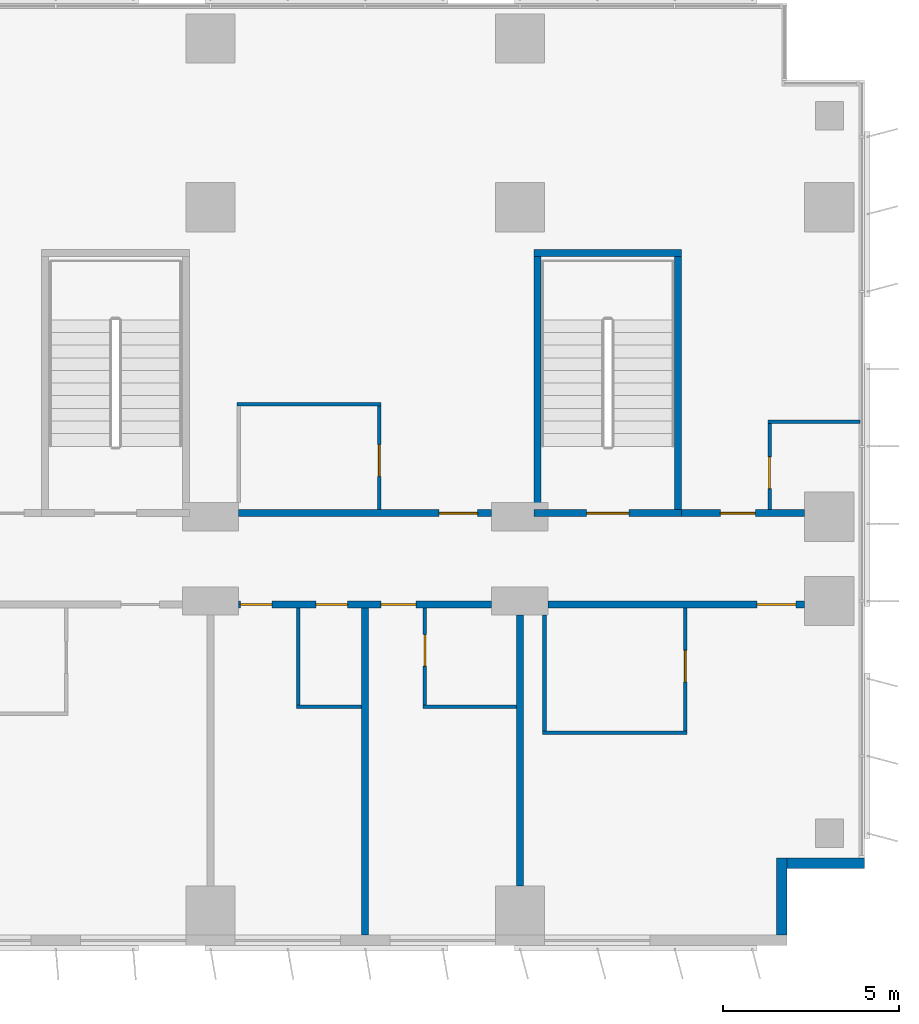
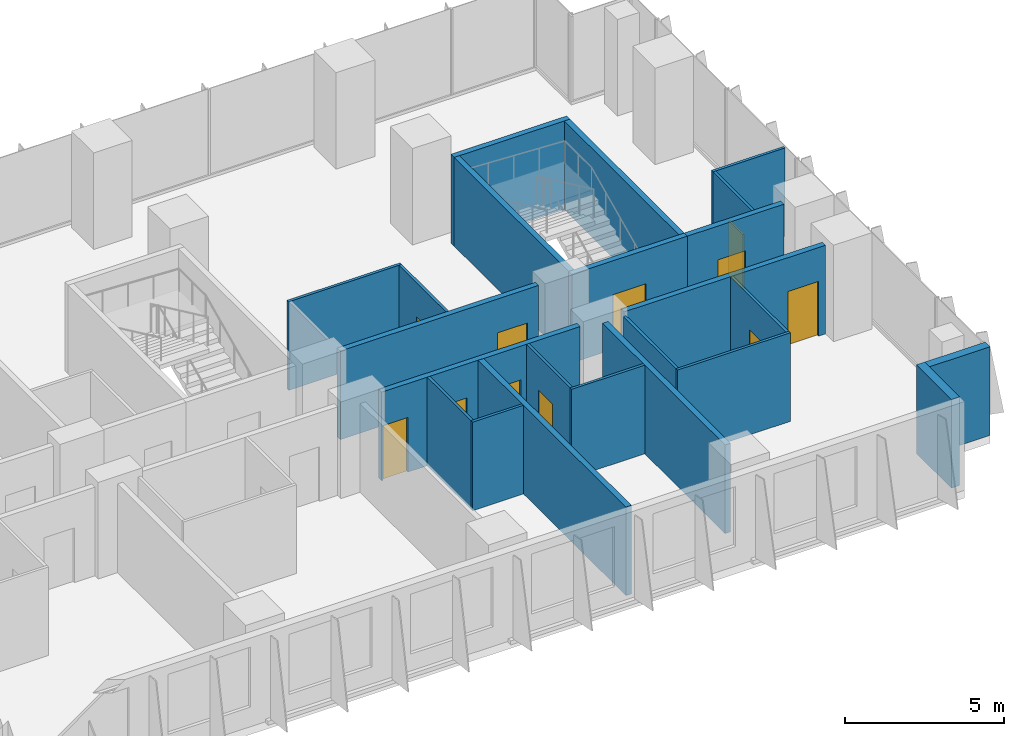
# One storey, part 18 of 24: 23 walls, 11 doors, 11 openings.
"""IFC4 building model written with IfcOpenShell, lengths in metres."""

from ifc_helpers import new_model, si_unit, direction, frame, frame_2d, origin, place, context, subcontext, project, spatial, rectangle, extrude, material, layer, layer_set, type_object, element, fill, save


model = new_model("IFC4")

# Units and contexts
model_context = context("Model", 3, precision=1e-05, world=origin(), true_north=direction((0.0, 1.0)))
body_context = subcontext(model_context, "Body", "Model", "MODEL_VIEW")
ifc_project = project(units=[si_unit("LENGTHUNIT", "METRE"), si_unit("AREAUNIT", "SQUARE_METRE"), si_unit("VOLUMEUNIT", "CUBIC_METRE"), si_unit("PLANEANGLEUNIT", "RADIAN"), si_unit("MASSUNIT", "GRAM", prefix="KILO")], contexts=[model_context])

# Site, building, storey
site_placement = place(None, origin())
site = spatial("IfcSite", under=ifc_project, at=site_placement, CompositionType="ELEMENT")
building_placement = place(site_placement, origin())
building = spatial("IfcBuilding", under=site, at=building_placement, Name="Kemantara Hotel Tower", CompositionType="ELEMENT")
storey_placement = place(building_placement, frame((0.0, 0.0, 41.39990234375)))
storey = spatial("IfcBuildingStorey", under=building, at=storey_placement, Name="L08", CompositionType="ELEMENT", Elevation=41.39990234375)

# Walls
ifc_material_1 = material(Name="Bronze anodised aluminium cladding on insulated steel stud wall", Category="steel")
ifc_layer_1 = layer(ifc_material_1, 0.300048828125)
ifc_layer_set_1 = layer_set([ifc_layer_1], Name="Bronze anodised aluminium cladding on insulated steel stud wall")
wall_type_1 = type_object("IfcWallType", Name="BRONZE METAL-CLAD EXTERNAL WALL 300", PredefinedType="STANDARD", material=ifc_layer_set_1)
for number, where, z_axis, x_axis, name in (
    (1, (78.85009765625, 0.300048828125, 0.0), (0.0, 0.0, 1.0), (0.0, 1.0, 0.0), "EXTERNAL WALL L08 T1-R02"),
    (2, (79.0, 2.35009765625, 0.0), (0.0, 0.0, 1.0), (1.0, 0.0, 0.0), "EXTERNAL WALL L08 T1-R03"),
):
    element("IfcWall", number, at=place(storey_placement, frame(where, z_axis=z_axis, x_axis=x_axis)), inside=storey, type_object=wall_type_1, Name=name, PredefinedType="STANDARD", context=body_context, shape_type="SweptSolid", body=[
        extrude(rectangle(XDim=2.199951171875, YDim=0.300048828125, at=frame_2d((1.10009765625, 0.0))), origin(), (0.0, 0.0, 1.0), 3.400146484375),
    ])

# Wall, openings, doors
ifc_material_2 = material(Name="Gypsum board partition, steel studs and mineral wool, 200 mm", Category="steel")
ifc_layer_2 = layer(ifc_material_2, 0.199951171875)
ifc_layer_set_2 = layer_set([ifc_layer_2], Name="Gypsum board partition, steel studs and mineral wool, 200 mm")
wall_type_2 = type_object("IfcWallType", Name="CORRIDOR WALL 200", PredefinedType="PARTITIONING", material=ifc_layer_set_2)
wall_1_placement = place(storey_placement, frame((70.599853515625, 9.699951171875, 0.0), z_axis=(0.0, 0.0, 1.0), x_axis=(-1.0, 0.0, 0.0)))
wall_1 = element("IfcWall", 3, at=wall_1_placement, inside=storey, type_object=wall_type_2, Name="CORRIDOR WALL 200 003", PredefinedType="PARTITIONING", context=body_context, shape_type="SweptSolid", body=[
    extrude(rectangle(XDim=7.19970703125, YDim=0.199951171875, at=frame_2d((3.599853515625, 0.0))), origin(), (0.0, 0.0, 1.0), 3.400146484375),
])
opening_1_placement = place(wall_1_placement, frame((6.25, 0.0, 0.0)))
opening_1 = element("IfcOpeningElement", 4, at=opening_1_placement, cuts=wall_1, Name="Opening F02-005", PredefinedType="OPENING", context=body_context, shape_type="SweptSolid", body=[
    extrude(rectangle(XDim=0.89990234375, YDim=2.10009765625, at=frame_2d((0.449951171875, 1.050048828125))), frame((0.0, 0.10986328125, 0.0), z_axis=(0.0, -1.0, 0.0), x_axis=(1.0, 0.0, 0.0)), (0.0, 0.0, 1.0), 0.219970703125),
])
opening_2_placement = place(wall_1_placement, frame((4.099853515625, 0.0, 0.0)))
opening_2 = element("IfcOpeningElement", 5, at=opening_2_placement, cuts=wall_1, Name="Opening F02-006", PredefinedType="OPENING", context=body_context, shape_type="SweptSolid", body=[
    extrude(rectangle(XDim=0.89990234375, YDim=2.10009765625, at=frame_2d((0.449951171875, 1.050048828125))), frame((0.0, 0.10986328125, 0.0), z_axis=(0.0, -1.0, 0.0), x_axis=(1.0, 0.0, 0.0)), (0.0, 0.0, 1.0), 0.219970703125),
])
opening_3_placement = place(wall_1_placement, frame((2.14990234375, 0.0, 0.0)))
opening_3 = element("IfcOpeningElement", 6, at=opening_3_placement, cuts=wall_1, Name="Opening F02-007", PredefinedType="OPENING", context=body_context, shape_type="SweptSolid", body=[
    extrude(rectangle(XDim=1.0, YDim=2.10009765625, at=frame_2d((0.5, 1.050048828125))), frame((0.0, 0.10986328125, 0.0), z_axis=(0.0, -1.0, 0.0), x_axis=(1.0, 0.0, 0.0)), (0.0, 0.0, 1.0), 0.219970703125),
])
ifc_material_3 = material(Name="Hardwood veneer door leaf with steel frame", Category="steel")
door_type_1 = type_object("IfcDoorType", Name="GUEST ROOM DOOR 1000 X 2100 FD30S", OperationType="NOTDEFINED", PredefinedType="DOOR", material=ifc_material_3)
door_1_placement = place(opening_3_placement, origin())
door_1 = element("IfcDoor", 7, at=door_1_placement, inside=storey, type_object=door_type_1, Name="GUEST ROOM DOOR F02-007", OperationType="SINGLE_SWING_RIGHT", OverallHeight=2.10009765625, OverallWidth=1.0, PredefinedType="DOOR", context=body_context, shape_type="SweptSolid", body=[
    extrude(rectangle(XDim=1.0, YDim=2.10009765625, at=frame_2d((0.5, 1.050048828125))), frame((0.0, 0.02490234375, 0.0), z_axis=(0.0, -1.0, 0.0), x_axis=(1.0, 0.0, 0.0)), (0.0, 0.0, 1.0), 0.050048828125),
])
fill(opening_3, door_1)
ifc_material_4 = material(Name="Steel door leaf with steel frame", Category="steel")
door_type_2 = type_object("IfcDoorType", Name="SERVICE ROOM DOOR 900 X 2100 FD60", OperationType="NOTDEFINED", PredefinedType="DOOR", material=ifc_material_4)
door_2_placement = place(opening_1_placement, origin())
door_2 = element("IfcDoor", 8, at=door_2_placement, inside=storey, type_object=door_type_2, Name="SERVICE ROOM DOOR F02-005", OperationType="SINGLE_SWING_RIGHT", OverallHeight=2.10009765625, OverallWidth=0.89990234375, PredefinedType="DOOR", context=body_context, shape_type="SweptSolid", body=[
    extrude(rectangle(XDim=0.89990234375, YDim=2.10009765625, at=frame_2d((0.449951171875, 1.050048828125))), frame((0.0, 0.02490234375, 0.0), z_axis=(0.0, -1.0, 0.0), x_axis=(1.0, 0.0, 0.0)), (0.0, 0.0, 1.0), 0.050048828125),
])
fill(opening_1, door_2)
door_3_placement = place(opening_2_placement, origin())
door_3 = element("IfcDoor", 9, at=door_3_placement, inside=storey, type_object=door_type_2, Name="SERVICE ROOM DOOR F02-006", OperationType="SINGLE_SWING_LEFT", OverallHeight=2.10009765625, OverallWidth=0.89990234375, PredefinedType="DOOR", context=body_context, shape_type="SweptSolid", body=[
    extrude(rectangle(XDim=0.89990234375, YDim=2.10009765625, at=frame_2d((0.449951171875, 1.050048828125))), frame((0.0, 0.02490234375, 0.0), z_axis=(0.0, -1.0, 0.0), x_axis=(1.0, 0.0, 0.0)), (0.0, 0.0, 1.0), 0.050048828125),
])
fill(opening_2, door_3)

# Wall, opening, door
wall_2_placement = place(storey_placement, frame((79.5, 9.699951171875, 0.0), z_axis=(0.0, 0.0, 1.0), x_axis=(-1.0, 0.0, 0.0)))
wall_2 = element("IfcWall", 10, at=wall_2_placement, inside=storey, type_object=wall_type_2, Name="CORRIDOR WALL 200 004", PredefinedType="PARTITIONING", context=body_context, shape_type="SweptSolid", body=[
    extrude(rectangle(XDim=7.2998046875, YDim=0.199951171875, at=frame_2d((3.64990234375, 0.0))), origin(), (0.0, 0.0, 1.0), 3.400146484375),
])
opening_4_placement = place(wall_2_placement, frame((0.25, 0.0, 0.0)))
opening_4 = element("IfcOpeningElement", 11, at=opening_4_placement, cuts=wall_2, Name="Opening F02-009", PredefinedType="OPENING", context=body_context, shape_type="SweptSolid", body=[
    extrude(rectangle(XDim=1.10009765625, YDim=2.10009765625, at=frame_2d((0.550048828125, 1.050048828125))), frame((0.0, 0.10986328125, 0.0), z_axis=(0.0, -1.0, 0.0), x_axis=(1.0, 0.0, 0.0)), (0.0, 0.0, 1.0), 0.219970703125),
])
door_type_3 = type_object("IfcDoorType", Name="SUITE ENTRANCE DOOR 1100 X 2100 FD30S", OperationType="NOTDEFINED", PredefinedType="DOOR", material=ifc_material_3)
door_4_placement = place(opening_4_placement, origin())
door_4 = element("IfcDoor", 12, at=door_4_placement, inside=storey, type_object=door_type_3, Name="SUITE ENTRANCE DOOR F02-009", OperationType="SINGLE_SWING_LEFT", OverallHeight=2.10009765625, OverallWidth=1.10009765625, PredefinedType="DOOR", context=body_context, shape_type="SweptSolid", body=[
    extrude(rectangle(XDim=1.10009765625, YDim=2.10009765625, at=frame_2d((0.550048828125, 1.050048828125))), frame((0.0, 0.02490234375, 0.0), z_axis=(0.0, -1.0, 0.0), x_axis=(1.0, 0.0, 0.0)), (0.0, 0.0, 1.0), 0.050048828125),
])
fill(opening_4, door_4)

wall_3_placement = place(storey_placement, frame((63.400146484375, 12.300048828125, 0.0), z_axis=(0.0, 0.0, 1.0), x_axis=(1.0, 0.0, 0.0)))
wall_3 = element("IfcWall", 13, at=wall_3_placement, inside=storey, type_object=wall_type_2, Name="CORRIDOR WALL 200 016", PredefinedType="PARTITIONING", context=body_context, shape_type="SweptSolid", body=[
    extrude(rectangle(XDim=7.19970703125, YDim=0.199951171875, at=frame_2d((3.599853515625, 0.0))), origin(), (0.0, 0.0, 1.0), 3.400146484375),
])
opening_5_placement = place(wall_3_placement, frame((5.699951171875, 0.0, 0.0)))
opening_5 = element("IfcOpeningElement", 14, at=opening_5_placement, cuts=wall_3, Name="Opening F02-021", PredefinedType="OPENING", context=body_context, shape_type="SweptSolid", body=[
    extrude(rectangle(XDim=1.10009765625, YDim=2.10009765625, at=frame_2d((0.550048828125, 1.050048828125))), frame((0.0, 0.10986328125, 0.0), z_axis=(0.0, -1.0, 0.0), x_axis=(1.0, 0.0, 0.0)), (0.0, 0.0, 1.0), 0.219970703125),
])
door_5_placement = place(opening_5_placement, origin())
door_5 = element("IfcDoor", 15, at=door_5_placement, inside=storey, type_object=door_type_3, Name="SUITE ENTRANCE DOOR F02-021", OperationType="SINGLE_SWING_RIGHT", OverallHeight=2.10009765625, OverallWidth=1.10009765625, PredefinedType="DOOR", context=body_context, shape_type="SweptSolid", body=[
    extrude(rectangle(XDim=1.10009765625, YDim=2.10009765625, at=frame_2d((0.550048828125, 1.050048828125))), frame((0.0, 0.02490234375, 0.0), z_axis=(0.0, -1.0, 0.0), x_axis=(1.0, 0.0, 0.0)), (0.0, 0.0, 1.0), 0.050048828125),
])
fill(opening_5, door_5)

wall_4_placement = place(storey_placement, frame((76.0, 12.300048828125, 0.0), z_axis=(0.0, 0.0, 1.0), x_axis=(1.0, 0.0, 0.0)))
wall_4 = element("IfcWall", 16, at=wall_4_placement, inside=storey, type_object=wall_type_2, Name="CORRIDOR WALL 200 017", PredefinedType="PARTITIONING", context=body_context, shape_type="SweptSolid", body=[
    extrude(rectangle(XDim=3.5, YDim=0.199951171875, at=frame_2d((1.75, 0.0))), origin(), (0.0, 0.0, 1.0), 3.400146484375),
])
opening_6_placement = place(wall_4_placement, frame((1.10009765625, 0.0, 0.0)))
opening_6 = element("IfcOpeningElement", 17, at=opening_6_placement, cuts=wall_4, Name="Opening F02-023", PredefinedType="OPENING", context=body_context, shape_type="SweptSolid", body=[
    extrude(rectangle(XDim=1.0, YDim=2.10009765625, at=frame_2d((0.5, 1.050048828125))), frame((0.0, 0.10986328125, 0.0), z_axis=(0.0, -1.0, 0.0), x_axis=(1.0, 0.0, 0.0)), (0.0, 0.0, 1.0), 0.219970703125),
])
door_6_placement = place(opening_6_placement, origin())
door_6 = element("IfcDoor", 18, at=door_6_placement, inside=storey, type_object=door_type_1, Name="GUEST ROOM DOOR F02-023", OperationType="SINGLE_SWING_LEFT", OverallHeight=2.10009765625, OverallWidth=1.0, PredefinedType="DOOR", context=body_context, shape_type="SweptSolid", body=[
    extrude(rectangle(XDim=1.0, YDim=2.10009765625, at=frame_2d((0.5, 1.050048828125))), frame((0.0, 0.02490234375, 0.0), z_axis=(0.0, -1.0, 0.0), x_axis=(1.0, 0.0, 0.0)), (0.0, 0.0, 1.0), 0.050048828125),
])
fill(opening_6, door_6)

ifc_material_5 = material(Name="Concrete fc 40 MPa", Category="concrete")
ifc_layer_3 = layer(ifc_material_5, 0.199951171875)
ifc_layer_set_3 = layer_set([ifc_layer_3], Name="Concrete fc 40 MPa")
wall_type_3 = type_object("IfcWallType", Name="Concrete stair wall 200 mm", PredefinedType="SHEAR", material=ifc_layer_set_3)
wall_5_placement = place(storey_placement, frame((71.800048828125, 12.300048828125, 0.0), z_axis=(0.0, 0.0, 1.0), x_axis=(1.0, 0.0, 0.0)))
wall_5 = element("IfcWall", 19, at=wall_5_placement, inside=storey, type_object=wall_type_3, Name="Stair ST5 enclosure wall with door", PredefinedType="SHEAR", context=body_context, shape_type="SweptSolid", body=[
    extrude(rectangle(XDim=4.199951171875, YDim=0.199951171875, at=frame_2d((2.10009765625, 0.0))), origin(), (0.0, 0.0, 1.0), 3.400146484375),
])
opening_7_placement = place(wall_5_placement, frame((1.5, 0.0, 0.0)))
opening_7 = element("IfcOpeningElement", 20, at=opening_7_placement, cuts=wall_5, Name="Opening ST5-C", PredefinedType="OPENING", context=body_context, shape_type="SweptSolid", body=[
    extrude(rectangle(XDim=1.199951171875, YDim=2.10009765625, at=frame_2d((0.60009765625, 1.050048828125))), frame((0.0, 0.10986328125, 0.0), z_axis=(0.0, -1.0, 0.0), x_axis=(1.0, 0.0, 0.0)), (0.0, 0.0, 1.0), 0.219970703125),
])
ifc_material_6 = material(Name="Steel fire door", Category="steel")
door_type_4 = type_object("IfcDoorType", Name="Fire door FD90 1200 x 2100", OperationType="NOTDEFINED", PredefinedType="DOOR", material=ifc_material_6)
door_7_placement = place(opening_7_placement, origin())
door_7 = element("IfcDoor", 21, at=door_7_placement, inside=storey, type_object=door_type_4, Name="Stair ST5 door", OperationType="SINGLE_SWING_RIGHT", OverallHeight=2.10009765625, OverallWidth=1.199951171875, PredefinedType="DOOR", context=body_context, shape_type="SweptSolid", body=[
    extrude(rectangle(XDim=1.199951171875, YDim=2.10009765625, at=frame_2d((0.60009765625, 1.050048828125))), frame((0.0, 0.02490234375, 0.0), z_axis=(0.0, -1.0, 0.0), x_axis=(1.0, 0.0, 0.0)), (0.0, 0.0, 1.0), 0.050048828125),
])
fill(opening_7, door_7)

# Walls
wall_6_placement = place(storey_placement, frame((71.800048828125, 19.699951171875, 0.0), z_axis=(0.0, 0.0, 1.0), x_axis=(1.0, 0.0, 0.0)))
element("IfcWall", 22, at=wall_6_placement, inside=storey, type_object=wall_type_3, Name="Stair ST5 enclosure wall N", PredefinedType="SHEAR", context=body_context, shape_type="SweptSolid", body=[
    extrude(rectangle(XDim=4.199951171875, YDim=0.199951171875, at=frame_2d((2.10009765625, 0.0))), origin(), (0.0, 0.0, 1.0), 3.400146484375),
])
for number, where, z_axis, x_axis, name in (
    (23, (71.89990234375, 12.39990234375, 0.0), (0.0, 0.0, 1.0), (0.0, 1.0, 0.0), "Stair ST5 enclosure wall W"),
    (24, (75.89990234375, 12.39990234375, 0.0), (0.0, 0.0, 1.0), (0.0, 1.0, 0.0), "Stair ST5 enclosure wall E"),
):
    element("IfcWall", number, at=place(storey_placement, frame(where, z_axis=z_axis, x_axis=x_axis)), inside=storey, type_object=wall_type_3, Name=name, PredefinedType="SHEAR", context=body_context, shape_type="SweptSolid", body=[
        extrude(rectangle(XDim=7.2001953125, YDim=0.199951171875, at=frame_2d((3.60009765625, 0.0))), origin(), (0.0, 0.0, 1.0), 3.400146484375),
    ])
ifc_layer_4 = layer(ifc_material_2, 0.199951171875)
ifc_layer_set_4 = layer_set([ifc_layer_4], Name="Gypsum board partition, steel studs and mineral wool, 200 mm")
wall_type_4 = type_object("IfcWallType", Name="GUEST ROOM PARTY WALL 200", PredefinedType="PARTITIONING", material=ifc_layer_set_4)
wall_7_placement = place(storey_placement, frame((67.0, 0.31005859375, 0.0), z_axis=(0.0, 0.0, 1.0), x_axis=(0.0, 1.0, 0.0)))
element("IfcWall", 25, at=wall_7_placement, inside=storey, type_object=wall_type_4, Name="GUEST ROOM PARTY WALL 200 009", PredefinedType="PARTITIONING", context=body_context, shape_type="SweptSolid", body=[
    extrude(rectangle(XDim=9.2900390625, YDim=0.199951171875, at=frame_2d((4.64501953125, 0.0))), origin(), (0.0, 0.0, 1.0), 3.400146484375),
])
wall_8_placement = place(storey_placement, frame((71.39990234375, 1.7001953125, 0.0), z_axis=(0.0, 0.0, 1.0), x_axis=(0.0, 1.0, 0.0)))
element("IfcWall", 26, at=wall_8_placement, inside=storey, type_object=wall_type_4, Name="GUEST ROOM PARTY WALL 200 010", PredefinedType="PARTITIONING", context=body_context, shape_type="SweptSolid", body=[
    extrude(rectangle(XDim=7.69970703125, YDim=0.199951171875, at=frame_2d((3.849853515625, 0.0))), origin(), (0.0, 0.0, 1.0), 3.400146484375),
])
ifc_material_7 = material(Name="Gypsum board partition on steel studs, 100 mm", Category="steel")
ifc_layer_5 = layer(ifc_material_7, 0.10009765625)
ifc_layer_set_5 = layer_set([ifc_layer_5], Name="Gypsum board partition on steel studs, 100 mm")
wall_type_5 = type_object("IfcWallType", Name="ROOM PARTITION 100", PredefinedType="PARTITIONING", material=ifc_layer_set_5)
wall_9_placement = place(storey_placement, frame((65.050048828125, 6.800048828125, 0.0), z_axis=(0.0, 0.0, 1.0), x_axis=(1.0, 0.0, 0.0)))
element("IfcWall", 27, at=wall_9_placement, inside=storey, type_object=wall_type_5, Name="ROOM PARTITION 100 062", PredefinedType="PARTITIONING", context=body_context, shape_type="SweptSolid", body=[
    extrude(rectangle(XDim=1.849853515625, YDim=0.10009765625, at=frame_2d((0.9248046875, 0.0))), origin(), (0.0, 0.0, 1.0), 3.400146484375),
])
wall_10_placement = place(storey_placement, frame((68.64990234375, 6.800048828125, 0.0), z_axis=(0.0, 0.0, 1.0), x_axis=(1.0, 0.0, 0.0)))
element("IfcWall", 28, at=wall_10_placement, inside=storey, type_object=wall_type_5, Name="ROOM PARTITION 100 063", PredefinedType="PARTITIONING", context=body_context, shape_type="SweptSolid", body=[
    extrude(rectangle(XDim=2.650146484375, YDim=0.10009765625, at=frame_2d((1.3251953125, 0.0))), origin(), (0.0, 0.0, 1.0), 3.400146484375),
])
wall_11_placement = place(storey_placement, frame((65.10009765625, 6.85009765625, 0.0), z_axis=(0.0, 0.0, 1.0), x_axis=(0.0, 1.0, 0.0)))
element("IfcWall", 29, at=wall_11_placement, inside=storey, type_object=wall_type_5, Name="ROOM PARTITION 100 064", PredefinedType="PARTITIONING", context=body_context, shape_type="SweptSolid", body=[
    extrude(rectangle(XDim=2.75, YDim=0.10009765625, at=frame_2d((1.375, 0.0))), origin(), (0.0, 0.0, 1.0), 3.400146484375),
])

# Wall, opening, door
wall_12_placement = place(storey_placement, frame((68.699951171875, 9.60009765625, 0.0), z_axis=(0.0, 0.0, 1.0), x_axis=(0.0, -1.0, 0.0)))
wall_12 = element("IfcWall", 30, at=wall_12_placement, inside=storey, type_object=wall_type_5, Name="ROOM PARTITION 100 065", PredefinedType="PARTITIONING", context=body_context, shape_type="SweptSolid", body=[
    extrude(rectangle(XDim=2.75, YDim=0.10009765625, at=frame_2d((1.375, 0.0))), origin(), (0.0, 0.0, 1.0), 3.400146484375),
])
opening_8_placement = place(wall_12_placement, frame((0.75, 0.0, 0.0)))
opening_8 = element("IfcOpeningElement", 31, at=opening_8_placement, cuts=wall_12, Name="Opening F02-008", PredefinedType="OPENING", context=body_context, shape_type="SweptSolid", body=[
    extrude(rectangle(XDim=0.89990234375, YDim=2.10009765625, at=frame_2d((0.449951171875, 1.050048828125))), frame((0.0, 0.06005859375, 0.0), z_axis=(0.0, -1.0, 0.0), x_axis=(1.0, 0.0, 0.0)), (0.0, 0.0, 1.0), 0.1201171875),
])
door_type_5 = type_object("IfcDoorType", Name="BATHROOM DOOR 900 X 2100", OperationType="NOTDEFINED", PredefinedType="DOOR", material=ifc_material_3)
door_8_placement = place(opening_8_placement, origin())
door_8 = element("IfcDoor", 32, at=door_8_placement, inside=storey, type_object=door_type_5, Name="BATHROOM DOOR F02-008", OperationType="SINGLE_SWING_LEFT", OverallHeight=2.10009765625, OverallWidth=0.89990234375, PredefinedType="DOOR", context=body_context, shape_type="SweptSolid", body=[
    extrude(rectangle(XDim=0.89990234375, YDim=2.10009765625, at=frame_2d((0.449951171875, 1.050048828125))), frame((0.0, 0.02490234375, 0.0), z_axis=(0.0, -1.0, 0.0), x_axis=(1.0, 0.0, 0.0)), (0.0, 0.0, 1.0), 0.050048828125),
])
fill(opening_8, door_8)

# Walls
wall_13_placement = place(storey_placement, frame((72.050048828125, 6.050048828125, 0.0), z_axis=(0.0, 0.0, 1.0), x_axis=(1.0, 0.0, 0.0)))
element("IfcWall", 33, at=wall_13_placement, inside=storey, type_object=wall_type_5, Name="ROOM PARTITION 100 066", PredefinedType="PARTITIONING", context=body_context, shape_type="SweptSolid", body=[
    extrude(rectangle(XDim=4.099853515625, YDim=0.10009765625, at=frame_2d((2.0498046875, 0.0))), origin(), (0.0, 0.0, 1.0), 3.400146484375),
])
wall_14_placement = place(storey_placement, frame((72.10009765625, 6.10009765625, 0.0), z_axis=(0.0, 0.0, 1.0), x_axis=(0.0, 1.0, 0.0)))
element("IfcWall", 34, at=wall_14_placement, inside=storey, type_object=wall_type_5, Name="ROOM PARTITION 100 067", PredefinedType="PARTITIONING", context=body_context, shape_type="SweptSolid", body=[
    extrude(rectangle(XDim=3.2998046875, YDim=0.10009765625, at=frame_2d((1.64990234375, 0.0))), origin(), (0.0, 0.0, 1.0), 3.400146484375),
])

# Wall, opening, door
wall_15_placement = place(storey_placement, frame((76.10009765625, 6.10009765625, 0.0), z_axis=(0.0, 0.0, 1.0), x_axis=(0.0, 1.0, 0.0)))
wall_15 = element("IfcWall", 35, at=wall_15_placement, inside=storey, type_object=wall_type_5, Name="ROOM PARTITION 100 068", PredefinedType="PARTITIONING", context=body_context, shape_type="SweptSolid", body=[
    extrude(rectangle(XDim=3.5, YDim=0.10009765625, at=frame_2d((1.75, 0.0))), origin(), (0.0, 0.0, 1.0), 3.400146484375),
])
opening_9_placement = place(wall_15_placement, frame((1.39990234375, 0.0, 0.0)))
opening_9 = element("IfcOpeningElement", 36, at=opening_9_placement, cuts=wall_15, Name="Opening F02-010", PredefinedType="OPENING", context=body_context, shape_type="SweptSolid", body=[
    extrude(rectangle(XDim=0.89990234375, YDim=2.10009765625, at=frame_2d((0.449951171875, 1.050048828125))), frame((0.0, 0.06005859375, 0.0), z_axis=(0.0, -1.0, 0.0), x_axis=(1.0, 0.0, 0.0)), (0.0, 0.0, 1.0), 0.1201171875),
])
door_9_placement = place(opening_9_placement, origin())
door_9 = element("IfcDoor", 37, at=door_9_placement, inside=storey, type_object=door_type_5, Name="BATHROOM DOOR F02-010", OperationType="SINGLE_SWING_RIGHT", OverallHeight=2.10009765625, OverallWidth=0.89990234375, PredefinedType="DOOR", context=body_context, shape_type="SweptSolid", body=[
    extrude(rectangle(XDim=0.89990234375, YDim=2.10009765625, at=frame_2d((0.449951171875, 1.050048828125))), frame((0.0, 0.02490234375, 0.0), z_axis=(0.0, -1.0, 0.0), x_axis=(1.0, 0.0, 0.0)), (0.0, 0.0, 1.0), 0.050048828125),
])
fill(opening_9, door_9)

# Wall
wall_16_placement = place(storey_placement, frame((63.35009765625, 15.39990234375, 0.0), z_axis=(0.0, 0.0, 1.0), x_axis=(1.0, 0.0, 0.0)))
element("IfcWall", 38, at=wall_16_placement, inside=storey, type_object=wall_type_5, Name="ROOM PARTITION 100 071", PredefinedType="PARTITIONING", context=body_context, shape_type="SweptSolid", body=[
    extrude(rectangle(XDim=4.099853515625, YDim=0.10009765625, at=frame_2d((2.0498046875, 0.0))), origin(), (0.0, 0.0, 1.0), 3.400146484375),
])

# Wall, opening, door
wall_17_placement = place(storey_placement, frame((67.39990234375, 12.39990234375, 0.0), z_axis=(0.0, 0.0, 1.0), x_axis=(0.0, 1.0, 0.0)))
wall_17 = element("IfcWall", 39, at=wall_17_placement, inside=storey, type_object=wall_type_5, Name="ROOM PARTITION 100 083", PredefinedType="PARTITIONING", context=body_context, shape_type="SweptSolid", body=[
    extrude(rectangle(XDim=2.9501953125, YDim=0.10009765625, at=frame_2d((1.47509765625, 0.0))), origin(), (0.0, 0.0, 1.0), 3.400146484375),
])
opening_10_placement = place(wall_17_placement, frame((0.949951171875, 0.0, 0.0)))
opening_10 = element("IfcOpeningElement", 40, at=opening_10_placement, cuts=wall_17, Name="Opening F02-022", PredefinedType="OPENING", context=body_context, shape_type="SweptSolid", body=[
    extrude(rectangle(XDim=0.89990234375, YDim=2.10009765625, at=frame_2d((0.449951171875, 1.050048828125))), frame((0.0, 0.06005859375, 0.0), z_axis=(0.0, -1.0, 0.0), x_axis=(1.0, 0.0, 0.0)), (0.0, 0.0, 1.0), 0.1201171875),
])
door_10_placement = place(opening_10_placement, origin())
door_10 = element("IfcDoor", 41, at=door_10_placement, inside=storey, type_object=door_type_5, Name="BATHROOM DOOR F02-022", OperationType="SINGLE_SWING_LEFT", OverallHeight=2.10009765625, OverallWidth=0.89990234375, PredefinedType="DOOR", context=body_context, shape_type="SweptSolid", body=[
    extrude(rectangle(XDim=0.89990234375, YDim=2.10009765625, at=frame_2d((0.449951171875, 1.050048828125))), frame((0.0, 0.02490234375, 0.0), z_axis=(0.0, -1.0, 0.0), x_axis=(1.0, 0.0, 0.0)), (0.0, 0.0, 1.0), 0.050048828125),
])
fill(opening_10, door_10)

# Wall
wall_18_placement = place(storey_placement, frame((78.449951171875, 14.89990234375, 0.0), z_axis=(0.0, 0.0, 1.0), x_axis=(1.0, 0.0, 0.0)))
element("IfcWall", 42, at=wall_18_placement, inside=storey, type_object=wall_type_5, Name="ROOM PARTITION 100 084", PredefinedType="PARTITIONING", context=body_context, shape_type="SweptSolid", body=[
    extrude(rectangle(XDim=2.6201171875, YDim=0.10009765625, at=frame_2d((1.31005859375, 0.0))), origin(), (0.0, 0.0, 1.0), 3.400146484375),
])

# Wall, opening, door
wall_19_placement = place(storey_placement, frame((78.5, 14.85009765625, 0.0), z_axis=(0.0, 0.0, 1.0), x_axis=(0.0, -1.0, 0.0)))
wall_19 = element("IfcWall", 43, at=wall_19_placement, inside=storey, type_object=wall_type_5, Name="ROOM PARTITION 100 085", PredefinedType="PARTITIONING", context=body_context, shape_type="SweptSolid", body=[
    extrude(rectangle(XDim=2.4501953125, YDim=0.10009765625, at=frame_2d((1.22509765625, 0.0))), origin(), (0.0, 0.0, 1.0), 3.400146484375),
])
opening_11_placement = place(wall_19_placement, frame((0.949951171875, 0.0, 0.0)))
opening_11 = element("IfcOpeningElement", 44, at=opening_11_placement, cuts=wall_19, Name="Opening F02-024", PredefinedType="OPENING", context=body_context, shape_type="SweptSolid", body=[
    extrude(rectangle(XDim=0.89990234375, YDim=2.10009765625, at=frame_2d((0.449951171875, 1.050048828125))), frame((0.0, 0.06005859375, 0.0), z_axis=(0.0, -1.0, 0.0), x_axis=(1.0, 0.0, 0.0)), (0.0, 0.0, 1.0), 0.1201171875),
])
door_11_placement = place(opening_11_placement, origin())
door_11 = element("IfcDoor", 45, at=door_11_placement, inside=storey, type_object=door_type_5, Name="BATHROOM DOOR F02-024", OperationType="SINGLE_SWING_RIGHT", OverallHeight=2.10009765625, OverallWidth=0.89990234375, PredefinedType="DOOR", context=body_context, shape_type="SweptSolid", body=[
    extrude(rectangle(XDim=0.89990234375, YDim=2.10009765625, at=frame_2d((0.449951171875, 1.050048828125))), frame((0.0, 0.02490234375, 0.0), z_axis=(0.0, -1.0, 0.0), x_axis=(1.0, 0.0, 0.0)), (0.0, 0.0, 1.0), 0.050048828125),
])
fill(opening_11, door_11)

save(model, "model.ifc")
